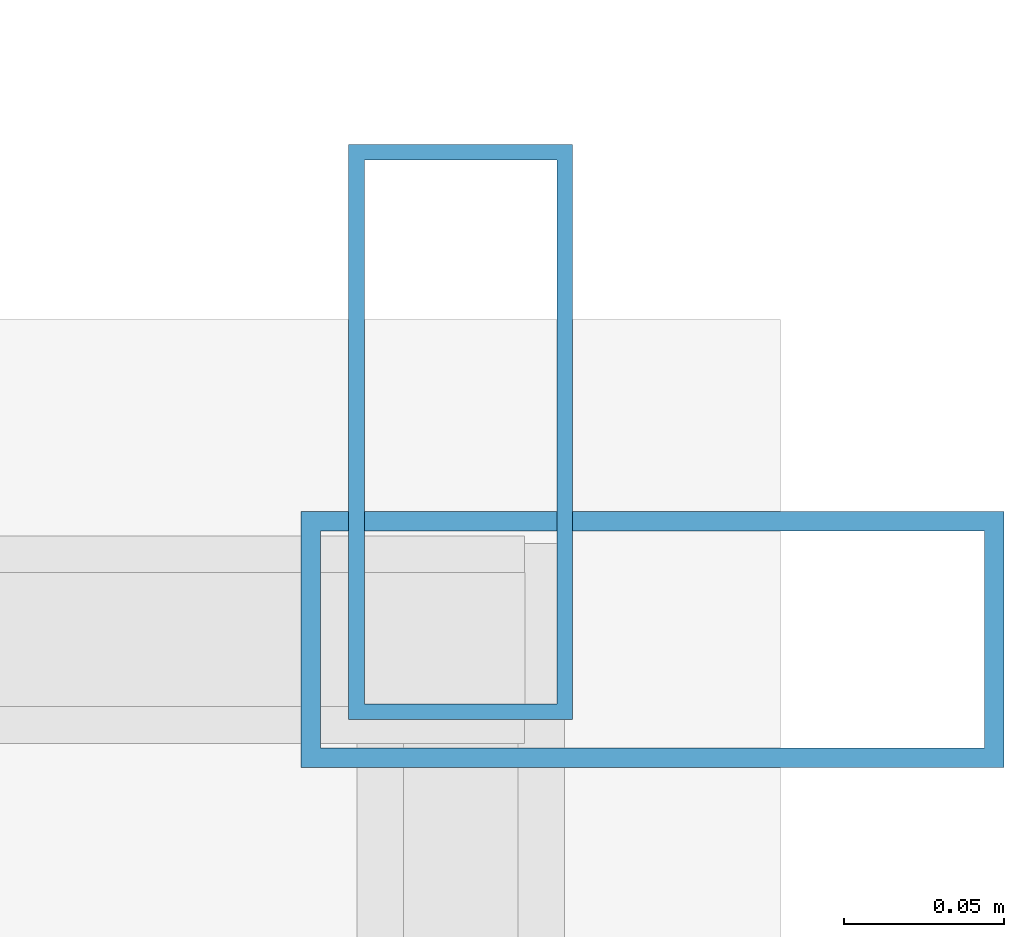
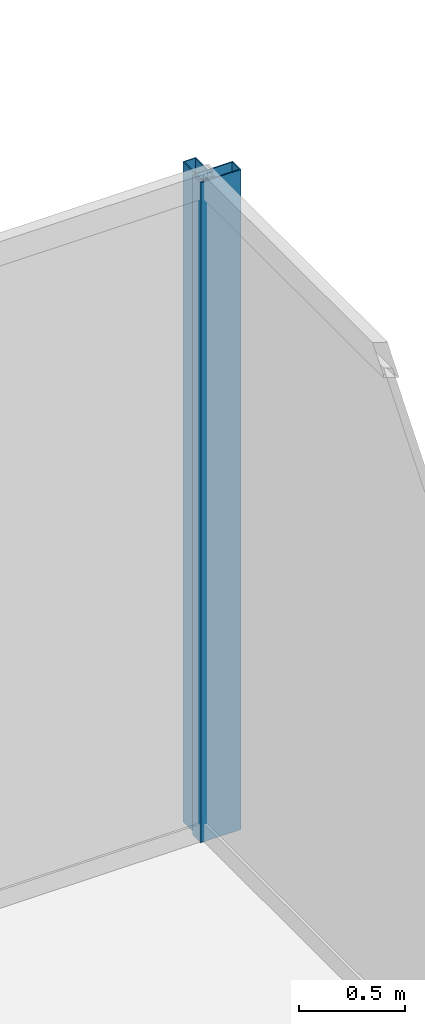
# One storey, part 26 of 33: 2 members, 2 elements without a shape of their own.
"""IFC4 building model written with IfcOpenShell, lengths in metres."""

from ifc_helpers import new_model, si_unit, direction, frame, origin, origin_2d, place, context, subcontext, project, spatial, hollow_rectangle, extrude, source, transform, mapped, material, layer, layer_set, material_profile, profile_set, type_object, type_shapes, element, aggregate, save


model = new_model("IFC4")

# Units and contexts
model_context = context("Model", 3, precision=1e-05, world=origin(), true_north=direction((0.0, 1.0)))
body_context = subcontext(model_context, "Body", "Model", "MODEL_VIEW")
ifc_project = project(units=[si_unit("LENGTHUNIT", "METRE"), si_unit("AREAUNIT", "SQUARE_METRE"), si_unit("VOLUMEUNIT", "CUBIC_METRE"), si_unit("PLANEANGLEUNIT", "RADIAN"), si_unit("MASSUNIT", "GRAM", prefix="KILO")], contexts=[model_context])

# Site, building, storey
site_placement = place(None, origin())
site = spatial("IfcSite", under=ifc_project, at=site_placement, CompositionType="ELEMENT")
building_placement = place(site_placement, origin())
building = spatial("IfcBuilding", under=site, at=building_placement, Name="Haelvirn Gate Laboratories", CompositionType="ELEMENT")
storey_placement = place(building_placement, frame((0.0, 0.0, 250.60009765625)))
storey = spatial("IfcBuildingStorey", under=building, at=storey_placement, Name="L60", CompositionType="ELEMENT", Elevation=250.60009765625)

# Curtain wall, member
ifc_material_1 = material(Name="Anodised bronze unitised aluminium & triple low-E glass", Category="aluminium")
ifc_layer_1 = layer(ifc_material_1, 0.176025390625, Name="CW-SYS-4")
ifc_layer_set_1 = layer_set([ifc_layer_1], Name="Anodised bronze unitised aluminium & triple low-E glass")
curtain_wall_type_1 = type_object("IfcCurtainWallType", Name="CW-SYS-4", PredefinedType="NOTDEFINED", material=ifc_layer_set_1)
curtain_wall_1_placement = place(storey_placement, origin())
curtain_wall_1 = element("IfcCurtainWall", 1, at=curtain_wall_1_placement, inside=storey, type_object=curtain_wall_type_1, Name="L60 Unitised Curtain Wall CW-L60-P0-E07", PredefinedType="NOTDEFINED")
ifc_material_2 = material(Name="Extruded aluminium 6063-T6 (anodised bronze)", Category="aluminium")
ifc_material_profile_1 = material_profile(ifc_material_2, hollow_rectangle(XDim=0.070068359375, YDim=0.179931640625, WallThickness=0.0048828125, at=origin_2d()), Name="CWM-180x70x5")
ifc_profile_set_1 = profile_set([ifc_material_profile_1], Name="Extruded aluminium 6063-T6 (anodised bronze)")
member_type_1 = type_object("IfcMemberType", Name="CWM-T180", PredefinedType="MULLION", material=ifc_profile_set_1)
shared_shape_1 = source(origin(), body_context, "Body", "SweptSolid", [
    extrude(hollow_rectangle(XDim=0.070068359375, YDim=0.179931640625, WallThickness=0.0048828125, at=origin_2d()), origin(), (0.0, 0.0, 1.0), 3.7998046875),
])
type_shapes(member_type_1, [shared_shape_1])
member_1_placement = place(storey_placement, frame((70.699951171875, 42.764892578125, 0.0), z_axis=(0.0, 0.0, 1.0), x_axis=(-1.0, 0.0, 0.0)))
member_1 = element("IfcMember", 2, at=member_1_placement, type_object=member_type_1, Name="CW4 mullion 3", PredefinedType="MULLION", context=body_context, shape_type="MappedRepresentation", body=[
    mapped(shared_shape_1, transform((0.0, 0.0, 0.0), scale=1.0)),
])
aggregate(curtain_wall_1, [member_1])

ifc_layer_2 = layer(ifc_material_1, 0.181884765625, Name="CW-SYS-5")
ifc_layer_set_2 = layer_set([ifc_layer_2], Name="Anodised bronze unitised aluminium & triple low-E glass")
curtain_wall_type_2 = type_object("IfcCurtainWallType", Name="CW-SYS-5", PredefinedType="NOTDEFINED", material=ifc_layer_set_2)
curtain_wall_2_placement = place(storey_placement, origin())
curtain_wall_2 = element("IfcCurtainWall", 3, at=curtain_wall_2_placement, inside=storey, type_object=curtain_wall_type_2, Name="L60 Unitised Curtain Wall CW-L60-P0-E08-1", PredefinedType="NOTDEFINED")
ifc_material_profile_2 = material_profile(ifc_material_2, hollow_rectangle(XDim=0.080078125, YDim=0.219970703125, WallThickness=0.006103515625, at=origin_2d()), Name="CWM-220x80x6")
ifc_profile_set_2 = profile_set([ifc_material_profile_2], Name="Extruded aluminium 6063-T6 (anodised bronze)")
member_type_2 = type_object("IfcMemberType", Name="CWM-T220", PredefinedType="MULLION", material=ifc_profile_set_2)
shared_shape_2 = source(origin(), body_context, "Body", "SweptSolid", [
    extrude(hollow_rectangle(XDim=0.080078125, YDim=0.219970703125, WallThickness=0.006103515625, at=origin_2d()), origin(), (0.0, 0.0, 1.0), 3.7998046875),
])
type_shapes(member_type_2, [shared_shape_2])
member_2_placement = place(storey_placement, frame((70.760009765625, 42.699951171875, 0.0), z_axis=(0.0, 0.0, 1.0), x_axis=(0.0, 1.0, 0.0)))
member_2 = element("IfcMember", 4, at=member_2_placement, type_object=member_type_2, Name="CW5 mullion 2", PredefinedType="MULLION", context=body_context, shape_type="MappedRepresentation", body=[
    mapped(shared_shape_2, transform((0.0, 0.0, 0.0), scale=1.0)),
])
aggregate(curtain_wall_2, [member_2])

save(model, "model.ifc")
